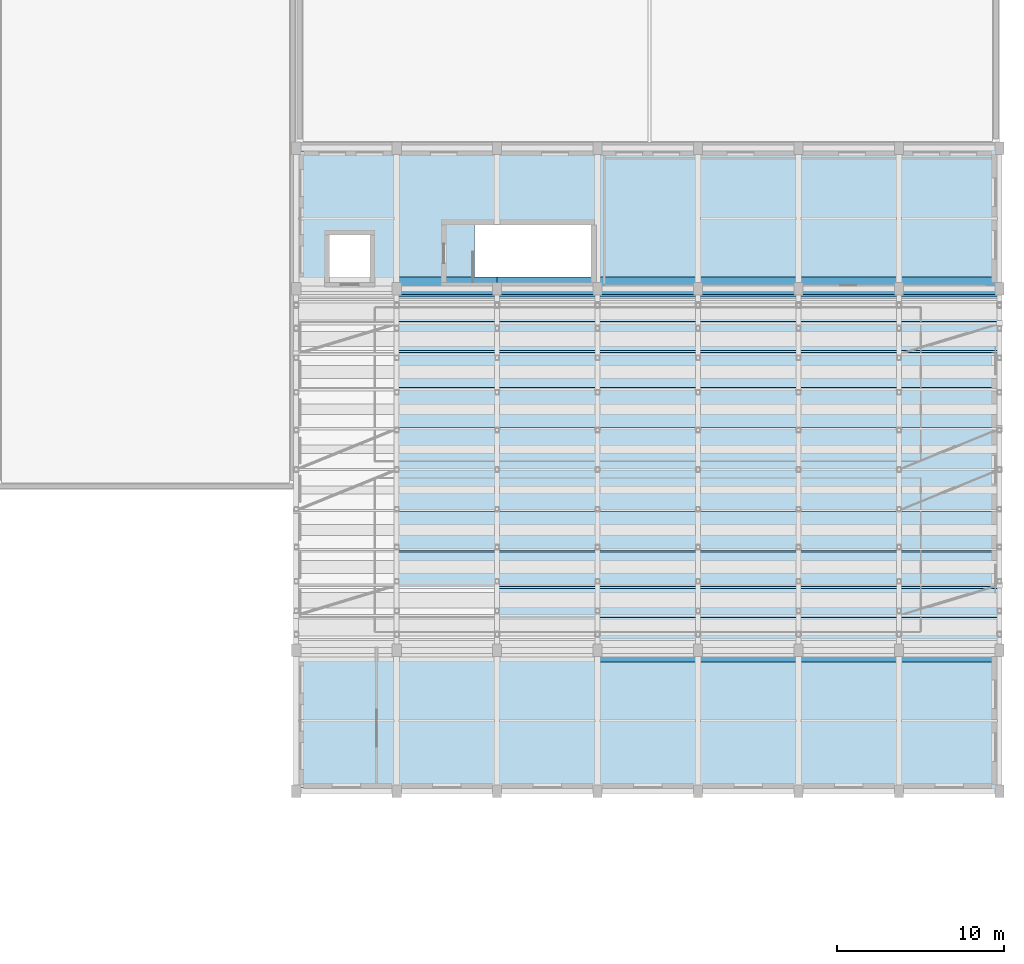
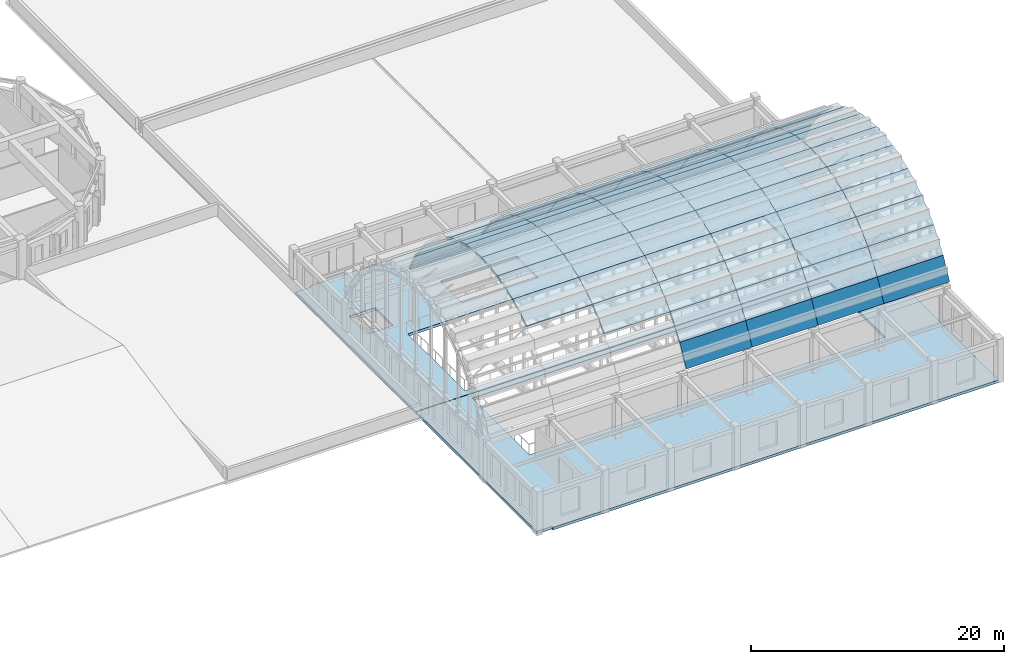
# One storey, part 13 of 46: 67 plates, 2 slabs.
"""IFC4 building model written with IfcOpenShell, lengths in metres."""

from ifc_helpers import new_model, si_unit, direction, frame, origin, place, context, subcontext, project, spatial, polyline, outline, extrude, material, layer, layer_set, type_object, element, save


model = new_model("IFC4")

# Units and contexts
model_context = context("Model", 3, precision=1e-05, world=origin(), true_north=direction((0.0, 1.0)))
body_context = subcontext(model_context, "Body", "Model", "MODEL_VIEW")
ifc_project = project(units=[si_unit("LENGTHUNIT", "METRE"), si_unit("AREAUNIT", "SQUARE_METRE"), si_unit("VOLUMEUNIT", "CUBIC_METRE"), si_unit("PLANEANGLEUNIT", "RADIAN"), si_unit("MASSUNIT", "GRAM", prefix="KILO")], contexts=[model_context])

# Site, building, storey
site_placement = place(None, origin())
site = spatial("IfcSite", under=ifc_project, at=site_placement, CompositionType="ELEMENT")
building_placement = place(site_placement, origin())
building = spatial("IfcBuilding", under=site, at=building_placement, Name="Tarnavel Promenade Courthouse", CompositionType="ELEMENT")
storey_placement = place(building_placement, frame((0.0, 0.0, 14.39990234375)))
storey = spatial("IfcBuildingStorey", under=building, at=storey_placement, Name="L04", CompositionType="ELEMENT", Elevation=14.39990234375)

# Slabs
ifc_material_1 = material(Name="Concrete C40/50", Category="concrete")
ifc_layer_1 = layer(ifc_material_1, 0.260009765625)
ifc_layer_set_1 = layer_set([ifc_layer_1], Name="Concrete C40/50")
slab_type = type_object("IfcSlabType", Name="Concrete C40/50 SLB-PT-260 (260 mm)", PredefinedType="FLOOR", material=ifc_layer_set_1)
slab_1_placement = place(storey_placement, frame((0.0, 0.0, -0.260009765625)))
element("IfcSlab", 1, at=slab_1_placement, inside=storey, type_object=slab_type, Name="L04 Ceremonial Pavilion S Floor Slab", PredefinedType="FLOOR", context=body_context, shape_type="SweptSolid", body=[
    extrude(outline(polyline([(120.02001953125, 28.97998046875), (121.419921875, 28.97998046875), (121.419921875, 28.820068359375), (162.0, 28.820068359375), (162.0, 47.97998046875), (120.02001953125, 47.97998046875), (120.02001953125, 28.97998046875)]), holes=[polyline([(124.800048828125, 38.39990234375), (157.199951171875, 38.39990234375), (157.199951171875, 47.39990234375), (124.800048828125, 47.39990234375), (124.800048828125, 38.39990234375)])]), origin(), (0.0, 0.0, 1.0), 0.260009765625),
])
slab_2_placement = place(storey_placement, frame((0.0, 0.0, -0.260009765625)))
element("IfcSlab", 2, at=slab_2_placement, inside=storey, type_object=slab_type, Name="L04 Ceremonial Pavilion N Floor Slab", PredefinedType="FLOOR", context=body_context, shape_type="SweptSolid", body=[
    extrude(outline(polyline([(120.02001953125, 48.02001953125), (162.0, 48.02001953125), (162.0, 67.179931640625), (121.419921875, 67.179931640625), (121.419921875, 67.02001953125), (120.02001953125, 67.02001953125), (120.02001953125, 48.02001953125)]), holes=[polyline([(130.64501953125, 59.199951171875), (137.60009765625, 59.199951171875), (137.60009765625, 62.60009765625), (130.64501953125, 62.60009765625), (130.64501953125, 59.199951171875)]), polyline([(122.0, 59.199951171875), (124.39990234375, 59.199951171875), (124.39990234375, 62.0), (122.0, 62.0), (122.0, 59.199951171875)]), polyline([(124.800048828125, 48.60009765625), (157.199951171875, 48.60009765625), (157.199951171875, 57.60009765625), (124.800048828125, 57.60009765625), (124.800048828125, 48.60009765625)])]), origin(), (0.0, 0.0, 1.0), 0.260009765625),
])

# Plates
ifc_material_2 = material(Name="Standing-Seam Copper Insulated Roof Assembly")
ifc_layer_2 = layer(ifc_material_2, 0.195068359375)
ifc_layer_set_2 = layer_set([ifc_layer_2], Name="Standing-Seam Copper Insulated Roof Assembly")
plate_type_1 = type_object("IfcPlateType", Name="Standing-Seam Copper Insulated Roof Assembly PLT-VLT-V1-CROWN (195 mm)", PredefinedType="SHEET", material=ifc_layer_set_2)
plate_1_placement = place(storey_placement, frame((126.0, 40.89501953125, 10.470703125), z_axis=(0.0, -0.500118252027, 0.865957120179), x_axis=(1.0, 0.0, 0.0)))
element("IfcPlate", 3, at=plate_1_placement, inside=storey, type_object=plate_type_1, Name="Barrel Vault Roof Panel V1 Bay 02 Facet 04", PredefinedType="SHEET", context=body_context, shape_type="SweptSolid", body=[
    extrude(outline(polyline([(0.0, 0.0), (6.0, 0.0), (6.0, 2.5272343300859914), (0.0, 2.5272343300859914), (0.0, 0.0)])), origin(), (0.0, 0.0, -1.0), 0.195068359375),
])
plate_2_placement = place(storey_placement, frame((126.0, 43.08349609375, 11.734619140625), z_axis=(0.0, -0.309147237065, 0.95101418802), x_axis=(1.0, 0.0, 0.0)))
element("IfcPlate", 4, at=plate_2_placement, inside=storey, type_object=plate_type_1, Name="Barrel Vault Roof Panel V1 Bay 02 Facet 05", PredefinedType="SHEET", context=body_context, shape_type="SweptSolid", body=[
    extrude(outline(polyline([(0.0, 0.0), (6.0, 0.0), (6.0, 2.5271129945008584), (0.0, 2.5271129945008584), (0.0, 0.0)])), origin(), (0.0, 0.0, -1.0), 0.195068359375),
])
for number, where, z_axis, x_axis, name in (
    (5, (126.0, 45.48681640625, 12.515869140625), (0.0, -0.104533910174, 0.99452132286), (1.0, 0.0, 0.0), "Barrel Vault Roof Panel V1 Bay 02 Facet 06"),
    (6, (126.0, 48.0, 12.780029296875), (0.0, 0.104533910174, 0.99452132286), (1.0, 0.0, 0.0), "Barrel Vault Roof Panel V1 Bay 02 Facet 07"),
):
    element("IfcPlate", number, at=place(storey_placement, frame(where, z_axis=z_axis, x_axis=x_axis)), inside=storey, type_object=plate_type_1, Name=name, PredefinedType="SHEET", context=body_context, shape_type="SweptSolid", body=[
        extrude(outline(polyline([(0.0, 0.0), (6.0, 0.0), (6.0, 2.5270283662919555), (0.0, 2.5270283662919555), (0.0, 0.0)])), origin(), (0.0, 0.0, -1.0), 0.195068359375),
    ])
plate_3_placement = place(storey_placement, frame((126.0, 50.51318359375, 12.515869140625), z_axis=(0.0, 0.309147237065, 0.95101418802), x_axis=(1.0, 0.0, 0.0)))
element("IfcPlate", 7, at=plate_3_placement, inside=storey, type_object=plate_type_1, Name="Barrel Vault Roof Panel V1 Bay 02 Facet 08", PredefinedType="SHEET", context=body_context, shape_type="SweptSolid", body=[
    extrude(outline(polyline([(0.0, 0.0), (6.0, 0.0), (6.0, 2.5271129945008584), (0.0, 2.5271129945008584), (0.0, 0.0)])), origin(), (0.0, 0.0, -1.0), 0.195068359375),
])
for number, where, z_axis, x_axis, name in (
    (8, (126.0, 52.91650390625, 11.734619140625), (0.0, 0.500118252027, 0.865957120179), (1.0, 0.0, 0.0), "Barrel Vault Roof Panel V1 Bay 02 Facet 09"),
    (9, (132.0, 40.89501953125, 10.470703125), (0.0, -0.500118252027, 0.865957120179), (1.0, 0.0, 0.0), "Barrel Vault Roof Panel V1 Bay 03 Facet 04"),
):
    element("IfcPlate", number, at=place(storey_placement, frame(where, z_axis=z_axis, x_axis=x_axis)), inside=storey, type_object=plate_type_1, Name=name, PredefinedType="SHEET", context=body_context, shape_type="SweptSolid", body=[
        extrude(outline(polyline([(0.0, 0.0), (6.0, 0.0), (6.0, 2.5272343300859914), (0.0, 2.5272343300859914), (0.0, 0.0)])), origin(), (0.0, 0.0, -1.0), 0.195068359375),
    ])
plate_4_placement = place(storey_placement, frame((132.0, 43.08349609375, 11.734619140625), z_axis=(0.0, -0.309147237065, 0.95101418802), x_axis=(1.0, 0.0, 0.0)))
element("IfcPlate", 10, at=plate_4_placement, inside=storey, type_object=plate_type_1, Name="Barrel Vault Roof Panel V1 Bay 03 Facet 05", PredefinedType="SHEET", context=body_context, shape_type="SweptSolid", body=[
    extrude(outline(polyline([(0.0, 0.0), (6.0, 0.0), (6.0, 2.5271129945008584), (0.0, 2.5271129945008584), (0.0, 0.0)])), origin(), (0.0, 0.0, -1.0), 0.195068359375),
])
for number, where, z_axis, x_axis, name in (
    (11, (132.0, 45.48681640625, 12.515869140625), (0.0, -0.104533910174, 0.99452132286), (1.0, 0.0, 0.0), "Barrel Vault Roof Panel V1 Bay 03 Facet 06"),
    (12, (132.0, 48.0, 12.780029296875), (0.0, 0.104533910174, 0.99452132286), (1.0, 0.0, 0.0), "Barrel Vault Roof Panel V1 Bay 03 Facet 07"),
):
    element("IfcPlate", number, at=place(storey_placement, frame(where, z_axis=z_axis, x_axis=x_axis)), inside=storey, type_object=plate_type_1, Name=name, PredefinedType="SHEET", context=body_context, shape_type="SweptSolid", body=[
        extrude(outline(polyline([(0.0, 0.0), (6.0, 0.0), (6.0, 2.5270283662919555), (0.0, 2.5270283662919555), (0.0, 0.0)])), origin(), (0.0, 0.0, -1.0), 0.195068359375),
    ])
plate_5_placement = place(storey_placement, frame((132.0, 50.51318359375, 12.515869140625), z_axis=(0.0, 0.309147237065, 0.95101418802), x_axis=(1.0, 0.0, 0.0)))
element("IfcPlate", 13, at=plate_5_placement, inside=storey, type_object=plate_type_1, Name="Barrel Vault Roof Panel V1 Bay 03 Facet 08", PredefinedType="SHEET", context=body_context, shape_type="SweptSolid", body=[
    extrude(outline(polyline([(0.0, 0.0), (6.0, 0.0), (6.0, 2.5271129945008584), (0.0, 2.5271129945008584), (0.0, 0.0)])), origin(), (0.0, 0.0, -1.0), 0.195068359375),
])
for number, where, z_axis, x_axis, name in (
    (14, (132.0, 52.91650390625, 11.734619140625), (0.0, 0.500118252027, 0.865957120179), (1.0, 0.0, 0.0), "Barrel Vault Roof Panel V1 Bay 03 Facet 09"),
    (15, (138.0, 40.89501953125, 10.470703125), (0.0, -0.500118252027, 0.865957120179), (1.0, 0.0, 0.0), "Barrel Vault Roof Panel V1 Bay 04 Facet 04"),
):
    element("IfcPlate", number, at=place(storey_placement, frame(where, z_axis=z_axis, x_axis=x_axis)), inside=storey, type_object=plate_type_1, Name=name, PredefinedType="SHEET", context=body_context, shape_type="SweptSolid", body=[
        extrude(outline(polyline([(0.0, 0.0), (6.0, 0.0), (6.0, 2.5272343300859914), (0.0, 2.5272343300859914), (0.0, 0.0)])), origin(), (0.0, 0.0, -1.0), 0.195068359375),
    ])
plate_6_placement = place(storey_placement, frame((138.0, 43.08349609375, 11.734619140625), z_axis=(0.0, -0.309147237065, 0.95101418802), x_axis=(1.0, 0.0, 0.0)))
element("IfcPlate", 16, at=plate_6_placement, inside=storey, type_object=plate_type_1, Name="Barrel Vault Roof Panel V1 Bay 04 Facet 05", PredefinedType="SHEET", context=body_context, shape_type="SweptSolid", body=[
    extrude(outline(polyline([(0.0, 0.0), (6.0, 0.0), (6.0, 2.5271129945008584), (0.0, 2.5271129945008584), (0.0, 0.0)])), origin(), (0.0, 0.0, -1.0), 0.195068359375),
])
for number, where, z_axis, x_axis, name in (
    (17, (138.0, 45.48681640625, 12.515869140625), (0.0, -0.104533910174, 0.99452132286), (1.0, 0.0, 0.0), "Barrel Vault Roof Panel V1 Bay 04 Facet 06"),
    (18, (138.0, 48.0, 12.780029296875), (0.0, 0.104533910174, 0.99452132286), (1.0, 0.0, 0.0), "Barrel Vault Roof Panel V1 Bay 04 Facet 07"),
):
    element("IfcPlate", number, at=place(storey_placement, frame(where, z_axis=z_axis, x_axis=x_axis)), inside=storey, type_object=plate_type_1, Name=name, PredefinedType="SHEET", context=body_context, shape_type="SweptSolid", body=[
        extrude(outline(polyline([(0.0, 0.0), (6.0, 0.0), (6.0, 2.5270283662919555), (0.0, 2.5270283662919555), (0.0, 0.0)])), origin(), (0.0, 0.0, -1.0), 0.195068359375),
    ])
plate_7_placement = place(storey_placement, frame((138.0, 50.51318359375, 12.515869140625), z_axis=(0.0, 0.309147237065, 0.95101418802), x_axis=(1.0, 0.0, 0.0)))
element("IfcPlate", 19, at=plate_7_placement, inside=storey, type_object=plate_type_1, Name="Barrel Vault Roof Panel V1 Bay 04 Facet 08", PredefinedType="SHEET", context=body_context, shape_type="SweptSolid", body=[
    extrude(outline(polyline([(0.0, 0.0), (6.0, 0.0), (6.0, 2.5271129945008584), (0.0, 2.5271129945008584), (0.0, 0.0)])), origin(), (0.0, 0.0, -1.0), 0.195068359375),
])
for number, where, z_axis, x_axis, name in (
    (20, (138.0, 52.91650390625, 11.734619140625), (0.0, 0.500118252027, 0.865957120179), (1.0, 0.0, 0.0), "Barrel Vault Roof Panel V1 Bay 04 Facet 09"),
    (21, (144.0, 40.89501953125, 10.470703125), (0.0, -0.500118252027, 0.865957120179), (1.0, 0.0, 0.0), "Barrel Vault Roof Panel V1 Bay 05 Facet 04"),
):
    element("IfcPlate", number, at=place(storey_placement, frame(where, z_axis=z_axis, x_axis=x_axis)), inside=storey, type_object=plate_type_1, Name=name, PredefinedType="SHEET", context=body_context, shape_type="SweptSolid", body=[
        extrude(outline(polyline([(0.0, 0.0), (6.0, 0.0), (6.0, 2.5272343300859914), (0.0, 2.5272343300859914), (0.0, 0.0)])), origin(), (0.0, 0.0, -1.0), 0.195068359375),
    ])
plate_8_placement = place(storey_placement, frame((144.0, 43.08349609375, 11.734619140625), z_axis=(0.0, -0.309147237065, 0.95101418802), x_axis=(1.0, 0.0, 0.0)))
element("IfcPlate", 22, at=plate_8_placement, inside=storey, type_object=plate_type_1, Name="Barrel Vault Roof Panel V1 Bay 05 Facet 05", PredefinedType="SHEET", context=body_context, shape_type="SweptSolid", body=[
    extrude(outline(polyline([(0.0, 0.0), (6.0, 0.0), (6.0, 2.5271129945008584), (0.0, 2.5271129945008584), (0.0, 0.0)])), origin(), (0.0, 0.0, -1.0), 0.195068359375),
])
for number, where, z_axis, x_axis, name in (
    (23, (144.0, 45.48681640625, 12.515869140625), (0.0, -0.104533910174, 0.99452132286), (1.0, 0.0, 0.0), "Barrel Vault Roof Panel V1 Bay 05 Facet 06"),
    (24, (144.0, 48.0, 12.780029296875), (0.0, 0.104533910174, 0.99452132286), (1.0, 0.0, 0.0), "Barrel Vault Roof Panel V1 Bay 05 Facet 07"),
):
    element("IfcPlate", number, at=place(storey_placement, frame(where, z_axis=z_axis, x_axis=x_axis)), inside=storey, type_object=plate_type_1, Name=name, PredefinedType="SHEET", context=body_context, shape_type="SweptSolid", body=[
        extrude(outline(polyline([(0.0, 0.0), (6.0, 0.0), (6.0, 2.5270283662919555), (0.0, 2.5270283662919555), (0.0, 0.0)])), origin(), (0.0, 0.0, -1.0), 0.195068359375),
    ])
plate_9_placement = place(storey_placement, frame((144.0, 50.51318359375, 12.515869140625), z_axis=(0.0, 0.309147237065, 0.95101418802), x_axis=(1.0, 0.0, 0.0)))
element("IfcPlate", 25, at=plate_9_placement, inside=storey, type_object=plate_type_1, Name="Barrel Vault Roof Panel V1 Bay 05 Facet 08", PredefinedType="SHEET", context=body_context, shape_type="SweptSolid", body=[
    extrude(outline(polyline([(0.0, 0.0), (6.0, 0.0), (6.0, 2.5271129945008584), (0.0, 2.5271129945008584), (0.0, 0.0)])), origin(), (0.0, 0.0, -1.0), 0.195068359375),
])
for number, where, z_axis, x_axis, name in (
    (26, (144.0, 52.91650390625, 11.734619140625), (0.0, 0.500118252027, 0.865957120179), (1.0, 0.0, 0.0), "Barrel Vault Roof Panel V1 Bay 05 Facet 09"),
    (27, (150.0, 40.89501953125, 10.470703125), (0.0, -0.500118252027, 0.865957120179), (1.0, 0.0, 0.0), "Barrel Vault Roof Panel V1 Bay 06 Facet 04"),
):
    element("IfcPlate", number, at=place(storey_placement, frame(where, z_axis=z_axis, x_axis=x_axis)), inside=storey, type_object=plate_type_1, Name=name, PredefinedType="SHEET", context=body_context, shape_type="SweptSolid", body=[
        extrude(outline(polyline([(0.0, 0.0), (6.0, 0.0), (6.0, 2.5272343300859914), (0.0, 2.5272343300859914), (0.0, 0.0)])), origin(), (0.0, 0.0, -1.0), 0.195068359375),
    ])
plate_10_placement = place(storey_placement, frame((150.0, 43.08349609375, 11.734619140625), z_axis=(0.0, -0.309147237065, 0.95101418802), x_axis=(1.0, 0.0, 0.0)))
element("IfcPlate", 28, at=plate_10_placement, inside=storey, type_object=plate_type_1, Name="Barrel Vault Roof Panel V1 Bay 06 Facet 05", PredefinedType="SHEET", context=body_context, shape_type="SweptSolid", body=[
    extrude(outline(polyline([(0.0, 0.0), (6.0, 0.0), (6.0, 2.5271129945008584), (0.0, 2.5271129945008584), (0.0, 0.0)])), origin(), (0.0, 0.0, -1.0), 0.195068359375),
])
for number, where, z_axis, x_axis, name in (
    (29, (150.0, 45.48681640625, 12.515869140625), (0.0, -0.104533910174, 0.99452132286), (1.0, 0.0, 0.0), "Barrel Vault Roof Panel V1 Bay 06 Facet 06"),
    (30, (150.0, 48.0, 12.780029296875), (0.0, 0.104533910174, 0.99452132286), (1.0, 0.0, 0.0), "Barrel Vault Roof Panel V1 Bay 06 Facet 07"),
):
    element("IfcPlate", number, at=place(storey_placement, frame(where, z_axis=z_axis, x_axis=x_axis)), inside=storey, type_object=plate_type_1, Name=name, PredefinedType="SHEET", context=body_context, shape_type="SweptSolid", body=[
        extrude(outline(polyline([(0.0, 0.0), (6.0, 0.0), (6.0, 2.5270283662919555), (0.0, 2.5270283662919555), (0.0, 0.0)])), origin(), (0.0, 0.0, -1.0), 0.195068359375),
    ])
plate_11_placement = place(storey_placement, frame((150.0, 50.51318359375, 12.515869140625), z_axis=(0.0, 0.309147237065, 0.95101418802), x_axis=(1.0, 0.0, 0.0)))
element("IfcPlate", 31, at=plate_11_placement, inside=storey, type_object=plate_type_1, Name="Barrel Vault Roof Panel V1 Bay 06 Facet 08", PredefinedType="SHEET", context=body_context, shape_type="SweptSolid", body=[
    extrude(outline(polyline([(0.0, 0.0), (6.0, 0.0), (6.0, 2.5271129945008584), (0.0, 2.5271129945008584), (0.0, 0.0)])), origin(), (0.0, 0.0, -1.0), 0.195068359375),
])
for number, where, z_axis, x_axis, name in (
    (32, (150.0, 52.91650390625, 11.734619140625), (0.0, 0.500118252027, 0.865957120179), (1.0, 0.0, 0.0), "Barrel Vault Roof Panel V1 Bay 06 Facet 09"),
    (33, (156.0, 40.89501953125, 10.470703125), (0.0, -0.500118252027, 0.865957120179), (1.0, 0.0, 0.0), "Barrel Vault Roof Panel V1 Bay 07 Facet 04"),
):
    element("IfcPlate", number, at=place(storey_placement, frame(where, z_axis=z_axis, x_axis=x_axis)), inside=storey, type_object=plate_type_1, Name=name, PredefinedType="SHEET", context=body_context, shape_type="SweptSolid", body=[
        extrude(outline(polyline([(0.0, 0.0), (6.0, 0.0), (6.0, 2.5272343300859914), (0.0, 2.5272343300859914), (0.0, 0.0)])), origin(), (0.0, 0.0, -1.0), 0.195068359375),
    ])
plate_12_placement = place(storey_placement, frame((156.0, 43.08349609375, 11.734619140625), z_axis=(0.0, -0.309147237065, 0.95101418802), x_axis=(1.0, 0.0, 0.0)))
element("IfcPlate", 34, at=plate_12_placement, inside=storey, type_object=plate_type_1, Name="Barrel Vault Roof Panel V1 Bay 07 Facet 05", PredefinedType="SHEET", context=body_context, shape_type="SweptSolid", body=[
    extrude(outline(polyline([(0.0, 0.0), (6.0, 0.0), (6.0, 2.5271129945008584), (0.0, 2.5271129945008584), (0.0, 0.0)])), origin(), (0.0, 0.0, -1.0), 0.195068359375),
])
for number, where, z_axis, x_axis, name in (
    (35, (156.0, 45.48681640625, 12.515869140625), (0.0, -0.104533910174, 0.99452132286), (1.0, 0.0, 0.0), "Barrel Vault Roof Panel V1 Bay 07 Facet 06"),
    (36, (156.0, 48.0, 12.780029296875), (0.0, 0.104533910174, 0.99452132286), (1.0, 0.0, 0.0), "Barrel Vault Roof Panel V1 Bay 07 Facet 07"),
):
    element("IfcPlate", number, at=place(storey_placement, frame(where, z_axis=z_axis, x_axis=x_axis)), inside=storey, type_object=plate_type_1, Name=name, PredefinedType="SHEET", context=body_context, shape_type="SweptSolid", body=[
        extrude(outline(polyline([(0.0, 0.0), (6.0, 0.0), (6.0, 2.5270283662919555), (0.0, 2.5270283662919555), (0.0, 0.0)])), origin(), (0.0, 0.0, -1.0), 0.195068359375),
    ])
plate_13_placement = place(storey_placement, frame((156.0, 50.51318359375, 12.515869140625), z_axis=(0.0, 0.309147237065, 0.95101418802), x_axis=(1.0, 0.0, 0.0)))
element("IfcPlate", 37, at=plate_13_placement, inside=storey, type_object=plate_type_1, Name="Barrel Vault Roof Panel V1 Bay 07 Facet 08", PredefinedType="SHEET", context=body_context, shape_type="SweptSolid", body=[
    extrude(outline(polyline([(0.0, 0.0), (6.0, 0.0), (6.0, 2.5271129945008584), (0.0, 2.5271129945008584), (0.0, 0.0)])), origin(), (0.0, 0.0, -1.0), 0.195068359375),
])
plate_14_placement = place(storey_placement, frame((156.0, 52.91650390625, 11.734619140625), z_axis=(0.0, 0.500118252027, 0.865957120179), x_axis=(1.0, 0.0, 0.0)))
element("IfcPlate", 38, at=plate_14_placement, inside=storey, type_object=plate_type_1, Name="Barrel Vault Roof Panel V1 Bay 07 Facet 09", PredefinedType="SHEET", context=body_context, shape_type="SweptSolid", body=[
    extrude(outline(polyline([(0.0, 0.0), (6.0, 0.0), (6.0, 2.5272343300859914), (0.0, 2.5272343300859914), (0.0, 0.0)])), origin(), (0.0, 0.0, -1.0), 0.195068359375),
])
ifc_layer_3 = layer(ifc_material_2, 0.18505859375)
ifc_layer_set_3 = layer_set([ifc_layer_3], Name="Standing-Seam Copper Insulated Roof Assembly")
plate_type_2 = type_object("IfcPlateType", Name="Standing-Seam Copper Insulated Roof Assembly PLT-VLT-V1-LOW (185 mm)", PredefinedType="SHEET", material=ifc_layer_set_3)
plate_15_placement = place(storey_placement, frame((126.0, 55.10498046875, 10.470703125), z_axis=(0.0, 0.669290247566, 0.743001052834), x_axis=(1.0, 0.0, 0.0)))
element("IfcPlate", 39, at=plate_15_placement, inside=storey, type_object=plate_type_2, Name="Barrel Vault Roof Panel V1 Bay 02 Facet 10", PredefinedType="SHEET", context=body_context, shape_type="SweptSolid", body=[
    extrude(outline(polyline([(0.0, 0.0), (6.0, 0.0), (6.0, 2.52716404601726), (0.0, 2.52716404601726), (0.0, 0.0)])), origin(), (0.0, 0.0, -1.0), 0.18505859375),
])
plate_16_placement = place(storey_placement, frame((126.0, 56.982666015625, 8.779296875), z_axis=(0.0, 0.809224611029, 0.587499386302), x_axis=(1.0, 0.0, 0.0)))
element("IfcPlate", 40, at=plate_16_placement, inside=storey, type_object=plate_type_2, Name="Barrel Vault Roof Panel V1 Bay 02 Facet 11", PredefinedType="SHEET", context=body_context, shape_type="SweptSolid", body=[
    extrude(outline(polyline([(0.0, 0.0), (6.0, 0.0), (6.0, 2.527013942890626), (0.0, 2.527013942890626), (0.0, 0.0)])), origin(), (0.0, 0.0, -1.0), 0.18505859375),
])
plate_17_placement = place(storey_placement, frame((126.0, 58.46728515625, 6.734375), z_axis=(0.0, 0.885198711289, 0.465213114103), x_axis=(1.0, 0.0, 0.0)))
element("IfcPlate", 41, at=plate_17_placement, inside=storey, type_object=plate_type_2, Name="Barrel Vault Roof Panel V1 Bay 02 Facet 12", PredefinedType="SHEET", context=body_context, shape_type="SweptSolid", body=[
    extrude(outline(polyline([(0.0, 0.0), (6.0, 0.0), (6.0, 2.20780450558953), (0.0, 2.20780450558953), (0.0, 0.0)])), origin(), (0.0, 0.0, -1.0), 0.18505859375),
])
for number, where, z_axis, x_axis, name in (
    (42, (132.0, 39.017333984375, 8.779296875), (0.0, -0.669290247566, 0.743001052834), (1.0, 0.0, 0.0), "Barrel Vault Roof Panel V1 Bay 03 Facet 03"),
    (43, (132.0, 55.10498046875, 10.470703125), (0.0, 0.669290247566, 0.743001052834), (1.0, 0.0, 0.0), "Barrel Vault Roof Panel V1 Bay 03 Facet 10"),
):
    element("IfcPlate", number, at=place(storey_placement, frame(where, z_axis=z_axis, x_axis=x_axis)), inside=storey, type_object=plate_type_2, Name=name, PredefinedType="SHEET", context=body_context, shape_type="SweptSolid", body=[
        extrude(outline(polyline([(0.0, 0.0), (6.0, 0.0), (6.0, 2.52716404601726), (0.0, 2.52716404601726), (0.0, 0.0)])), origin(), (0.0, 0.0, -1.0), 0.18505859375),
    ])
plate_18_placement = place(storey_placement, frame((132.0, 56.982666015625, 8.779296875), z_axis=(0.0, 0.809224611029, 0.587499386302), x_axis=(1.0, 0.0, 0.0)))
element("IfcPlate", 44, at=plate_18_placement, inside=storey, type_object=plate_type_2, Name="Barrel Vault Roof Panel V1 Bay 03 Facet 11", PredefinedType="SHEET", context=body_context, shape_type="SweptSolid", body=[
    extrude(outline(polyline([(0.0, 0.0), (6.0, 0.0), (6.0, 2.527013942890626), (0.0, 2.527013942890626), (0.0, 0.0)])), origin(), (0.0, 0.0, -1.0), 0.18505859375),
])
for number, where, z_axis, x_axis, name in (
    (45, (132.0, 58.46728515625, 6.734375), (0.0, 0.885198711289, 0.465213114103), (1.0, 0.0, 0.0), "Barrel Vault Roof Panel V1 Bay 03 Facet 12"),
    (46, (138.0, 36.505615234375, 4.780029296875), (0.0, -0.885198711289, 0.465213114103), (1.0, 0.0, 0.0), "Barrel Vault Roof Panel V1 Bay 04 Facet 01"),
):
    element("IfcPlate", number, at=place(storey_placement, frame(where, z_axis=z_axis, x_axis=x_axis)), inside=storey, type_object=plate_type_2, Name=name, PredefinedType="SHEET", context=body_context, shape_type="SweptSolid", body=[
        extrude(outline(polyline([(0.0, 0.0), (6.0, 0.0), (6.0, 2.20780450558953), (0.0, 2.20780450558953), (0.0, 0.0)])), origin(), (0.0, 0.0, -1.0), 0.18505859375),
    ])
plate_19_placement = place(storey_placement, frame((138.0, 37.53271484375, 6.734375), z_axis=(0.0, -0.809224611029, 0.587499386302), x_axis=(1.0, 0.0, 0.0)))
element("IfcPlate", 47, at=plate_19_placement, inside=storey, type_object=plate_type_2, Name="Barrel Vault Roof Panel V1 Bay 04 Facet 02", PredefinedType="SHEET", context=body_context, shape_type="SweptSolid", body=[
    extrude(outline(polyline([(0.0, 0.0), (6.0, 0.0), (6.0, 2.527013942890626), (0.0, 2.527013942890626), (0.0, 0.0)])), origin(), (0.0, 0.0, -1.0), 0.18505859375),
])
for number, where, z_axis, x_axis, name in (
    (48, (138.0, 39.017333984375, 8.779296875), (0.0, -0.669290247566, 0.743001052834), (1.0, 0.0, 0.0), "Barrel Vault Roof Panel V1 Bay 04 Facet 03"),
    (49, (138.0, 55.10498046875, 10.470703125), (0.0, 0.669290247566, 0.743001052834), (1.0, 0.0, 0.0), "Barrel Vault Roof Panel V1 Bay 04 Facet 10"),
):
    element("IfcPlate", number, at=place(storey_placement, frame(where, z_axis=z_axis, x_axis=x_axis)), inside=storey, type_object=plate_type_2, Name=name, PredefinedType="SHEET", context=body_context, shape_type="SweptSolid", body=[
        extrude(outline(polyline([(0.0, 0.0), (6.0, 0.0), (6.0, 2.52716404601726), (0.0, 2.52716404601726), (0.0, 0.0)])), origin(), (0.0, 0.0, -1.0), 0.18505859375),
    ])
plate_20_placement = place(storey_placement, frame((138.0, 56.982666015625, 8.779296875), z_axis=(0.0, 0.809224611029, 0.587499386302), x_axis=(1.0, 0.0, 0.0)))
element("IfcPlate", 50, at=plate_20_placement, inside=storey, type_object=plate_type_2, Name="Barrel Vault Roof Panel V1 Bay 04 Facet 11", PredefinedType="SHEET", context=body_context, shape_type="SweptSolid", body=[
    extrude(outline(polyline([(0.0, 0.0), (6.0, 0.0), (6.0, 2.527013942890626), (0.0, 2.527013942890626), (0.0, 0.0)])), origin(), (0.0, 0.0, -1.0), 0.18505859375),
])
for number, where, z_axis, x_axis, name in (
    (51, (138.0, 58.46728515625, 6.734375), (0.0, 0.885198711289, 0.465213114103), (1.0, 0.0, 0.0), "Barrel Vault Roof Panel V1 Bay 04 Facet 12"),
    (52, (144.0, 36.505615234375, 4.780029296875), (0.0, -0.885198711289, 0.465213114103), (1.0, 0.0, 0.0), "Barrel Vault Roof Panel V1 Bay 05 Facet 01"),
):
    element("IfcPlate", number, at=place(storey_placement, frame(where, z_axis=z_axis, x_axis=x_axis)), inside=storey, type_object=plate_type_2, Name=name, PredefinedType="SHEET", context=body_context, shape_type="SweptSolid", body=[
        extrude(outline(polyline([(0.0, 0.0), (6.0, 0.0), (6.0, 2.20780450558953), (0.0, 2.20780450558953), (0.0, 0.0)])), origin(), (0.0, 0.0, -1.0), 0.18505859375),
    ])
plate_21_placement = place(storey_placement, frame((144.0, 37.53271484375, 6.734375), z_axis=(0.0, -0.809224611029, 0.587499386302), x_axis=(1.0, 0.0, 0.0)))
element("IfcPlate", 53, at=plate_21_placement, inside=storey, type_object=plate_type_2, Name="Barrel Vault Roof Panel V1 Bay 05 Facet 02", PredefinedType="SHEET", context=body_context, shape_type="SweptSolid", body=[
    extrude(outline(polyline([(0.0, 0.0), (6.0, 0.0), (6.0, 2.527013942890626), (0.0, 2.527013942890626), (0.0, 0.0)])), origin(), (0.0, 0.0, -1.0), 0.18505859375),
])
for number, where, z_axis, x_axis, name in (
    (54, (144.0, 39.017333984375, 8.779296875), (0.0, -0.669290247566, 0.743001052834), (1.0, 0.0, 0.0), "Barrel Vault Roof Panel V1 Bay 05 Facet 03"),
    (55, (144.0, 55.10498046875, 10.470703125), (0.0, 0.669290247566, 0.743001052834), (1.0, 0.0, 0.0), "Barrel Vault Roof Panel V1 Bay 05 Facet 10"),
):
    element("IfcPlate", number, at=place(storey_placement, frame(where, z_axis=z_axis, x_axis=x_axis)), inside=storey, type_object=plate_type_2, Name=name, PredefinedType="SHEET", context=body_context, shape_type="SweptSolid", body=[
        extrude(outline(polyline([(0.0, 0.0), (6.0, 0.0), (6.0, 2.52716404601726), (0.0, 2.52716404601726), (0.0, 0.0)])), origin(), (0.0, 0.0, -1.0), 0.18505859375),
    ])
plate_22_placement = place(storey_placement, frame((144.0, 56.982666015625, 8.779296875), z_axis=(0.0, 0.809224611029, 0.587499386302), x_axis=(1.0, 0.0, 0.0)))
element("IfcPlate", 56, at=plate_22_placement, inside=storey, type_object=plate_type_2, Name="Barrel Vault Roof Panel V1 Bay 05 Facet 11", PredefinedType="SHEET", context=body_context, shape_type="SweptSolid", body=[
    extrude(outline(polyline([(0.0, 0.0), (6.0, 0.0), (6.0, 2.527013942890626), (0.0, 2.527013942890626), (0.0, 0.0)])), origin(), (0.0, 0.0, -1.0), 0.18505859375),
])
for number, where, z_axis, x_axis, name in (
    (57, (144.0, 58.46728515625, 6.734375), (0.0, 0.885198711289, 0.465213114103), (1.0, 0.0, 0.0), "Barrel Vault Roof Panel V1 Bay 05 Facet 12"),
    (58, (150.0, 36.505615234375, 4.780029296875), (0.0, -0.885198711289, 0.465213114103), (1.0, 0.0, 0.0), "Barrel Vault Roof Panel V1 Bay 06 Facet 01"),
):
    element("IfcPlate", number, at=place(storey_placement, frame(where, z_axis=z_axis, x_axis=x_axis)), inside=storey, type_object=plate_type_2, Name=name, PredefinedType="SHEET", context=body_context, shape_type="SweptSolid", body=[
        extrude(outline(polyline([(0.0, 0.0), (6.0, 0.0), (6.0, 2.20780450558953), (0.0, 2.20780450558953), (0.0, 0.0)])), origin(), (0.0, 0.0, -1.0), 0.18505859375),
    ])
plate_23_placement = place(storey_placement, frame((150.0, 37.53271484375, 6.734375), z_axis=(0.0, -0.809224611029, 0.587499386302), x_axis=(1.0, 0.0, 0.0)))
element("IfcPlate", 59, at=plate_23_placement, inside=storey, type_object=plate_type_2, Name="Barrel Vault Roof Panel V1 Bay 06 Facet 02", PredefinedType="SHEET", context=body_context, shape_type="SweptSolid", body=[
    extrude(outline(polyline([(0.0, 0.0), (6.0, 0.0), (6.0, 2.527013942890626), (0.0, 2.527013942890626), (0.0, 0.0)])), origin(), (0.0, 0.0, -1.0), 0.18505859375),
])
for number, where, z_axis, x_axis, name in (
    (60, (150.0, 39.017333984375, 8.779296875), (0.0, -0.669290247566, 0.743001052834), (1.0, 0.0, 0.0), "Barrel Vault Roof Panel V1 Bay 06 Facet 03"),
    (61, (150.0, 55.10498046875, 10.470703125), (0.0, 0.669290247566, 0.743001052834), (1.0, 0.0, 0.0), "Barrel Vault Roof Panel V1 Bay 06 Facet 10"),
):
    element("IfcPlate", number, at=place(storey_placement, frame(where, z_axis=z_axis, x_axis=x_axis)), inside=storey, type_object=plate_type_2, Name=name, PredefinedType="SHEET", context=body_context, shape_type="SweptSolid", body=[
        extrude(outline(polyline([(0.0, 0.0), (6.0, 0.0), (6.0, 2.52716404601726), (0.0, 2.52716404601726), (0.0, 0.0)])), origin(), (0.0, 0.0, -1.0), 0.18505859375),
    ])
plate_24_placement = place(storey_placement, frame((150.0, 56.982666015625, 8.779296875), z_axis=(0.0, 0.809224611029, 0.587499386302), x_axis=(1.0, 0.0, 0.0)))
element("IfcPlate", 62, at=plate_24_placement, inside=storey, type_object=plate_type_2, Name="Barrel Vault Roof Panel V1 Bay 06 Facet 11", PredefinedType="SHEET", context=body_context, shape_type="SweptSolid", body=[
    extrude(outline(polyline([(0.0, 0.0), (6.0, 0.0), (6.0, 2.527013942890626), (0.0, 2.527013942890626), (0.0, 0.0)])), origin(), (0.0, 0.0, -1.0), 0.18505859375),
])
for number, where, z_axis, x_axis, name in (
    (63, (150.0, 58.46728515625, 6.734375), (0.0, 0.885198711289, 0.465213114103), (1.0, 0.0, 0.0), "Barrel Vault Roof Panel V1 Bay 06 Facet 12"),
    (64, (156.0, 36.505615234375, 4.780029296875), (0.0, -0.885198711289, 0.465213114103), (1.0, 0.0, 0.0), "Barrel Vault Roof Panel V1 Bay 07 Facet 01"),
):
    element("IfcPlate", number, at=place(storey_placement, frame(where, z_axis=z_axis, x_axis=x_axis)), inside=storey, type_object=plate_type_2, Name=name, PredefinedType="SHEET", context=body_context, shape_type="SweptSolid", body=[
        extrude(outline(polyline([(0.0, 0.0), (6.0, 0.0), (6.0, 2.20780450558953), (0.0, 2.20780450558953), (0.0, 0.0)])), origin(), (0.0, 0.0, -1.0), 0.18505859375),
    ])
plate_25_placement = place(storey_placement, frame((156.0, 37.53271484375, 6.734375), z_axis=(0.0, -0.809224611029, 0.587499386302), x_axis=(1.0, 0.0, 0.0)))
element("IfcPlate", 65, at=plate_25_placement, inside=storey, type_object=plate_type_2, Name="Barrel Vault Roof Panel V1 Bay 07 Facet 02", PredefinedType="SHEET", context=body_context, shape_type="SweptSolid", body=[
    extrude(outline(polyline([(0.0, 0.0), (6.0, 0.0), (6.0, 2.527013942890626), (0.0, 2.527013942890626), (0.0, 0.0)])), origin(), (0.0, 0.0, -1.0), 0.18505859375),
])
for number, where, z_axis, x_axis, name in (
    (66, (156.0, 39.017333984375, 8.779296875), (0.0, -0.669290247566, 0.743001052834), (1.0, 0.0, 0.0), "Barrel Vault Roof Panel V1 Bay 07 Facet 03"),
    (67, (156.0, 55.10498046875, 10.470703125), (0.0, 0.669290247566, 0.743001052834), (1.0, 0.0, 0.0), "Barrel Vault Roof Panel V1 Bay 07 Facet 10"),
):
    element("IfcPlate", number, at=place(storey_placement, frame(where, z_axis=z_axis, x_axis=x_axis)), inside=storey, type_object=plate_type_2, Name=name, PredefinedType="SHEET", context=body_context, shape_type="SweptSolid", body=[
        extrude(outline(polyline([(0.0, 0.0), (6.0, 0.0), (6.0, 2.52716404601726), (0.0, 2.52716404601726), (0.0, 0.0)])), origin(), (0.0, 0.0, -1.0), 0.18505859375),
    ])
plate_26_placement = place(storey_placement, frame((156.0, 56.982666015625, 8.779296875), z_axis=(0.0, 0.809224611029, 0.587499386302), x_axis=(1.0, 0.0, 0.0)))
element("IfcPlate", 68, at=plate_26_placement, inside=storey, type_object=plate_type_2, Name="Barrel Vault Roof Panel V1 Bay 07 Facet 11", PredefinedType="SHEET", context=body_context, shape_type="SweptSolid", body=[
    extrude(outline(polyline([(0.0, 0.0), (6.0, 0.0), (6.0, 2.527013942890626), (0.0, 2.527013942890626), (0.0, 0.0)])), origin(), (0.0, 0.0, -1.0), 0.18505859375),
])
plate_27_placement = place(storey_placement, frame((156.0, 58.46728515625, 6.734375), z_axis=(0.0, 0.885198711289, 0.465213114103), x_axis=(1.0, 0.0, 0.0)))
element("IfcPlate", 69, at=plate_27_placement, inside=storey, type_object=plate_type_2, Name="Barrel Vault Roof Panel V1 Bay 07 Facet 12", PredefinedType="SHEET", context=body_context, shape_type="SweptSolid", body=[
    extrude(outline(polyline([(0.0, 0.0), (6.0, 0.0), (6.0, 2.20780450558953), (0.0, 2.20780450558953), (0.0, 0.0)])), origin(), (0.0, 0.0, -1.0), 0.18505859375),
])

save(model, "model.ifc")
